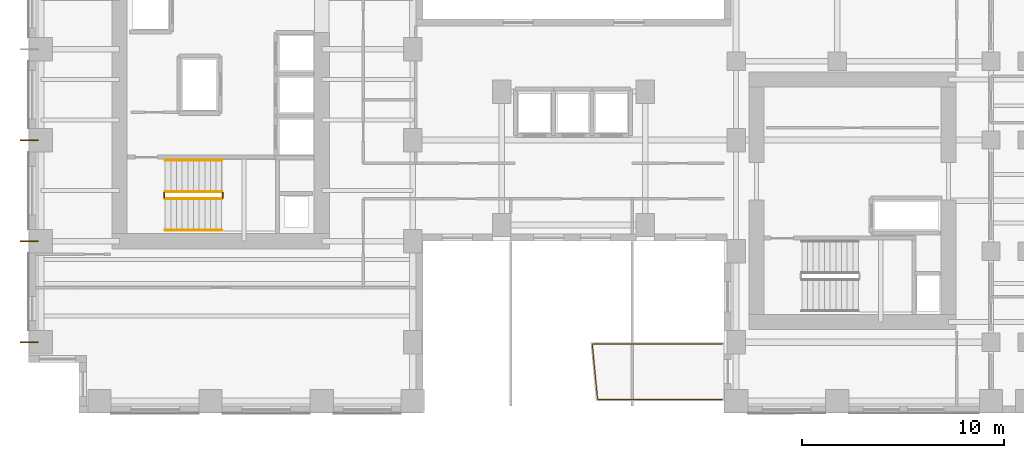
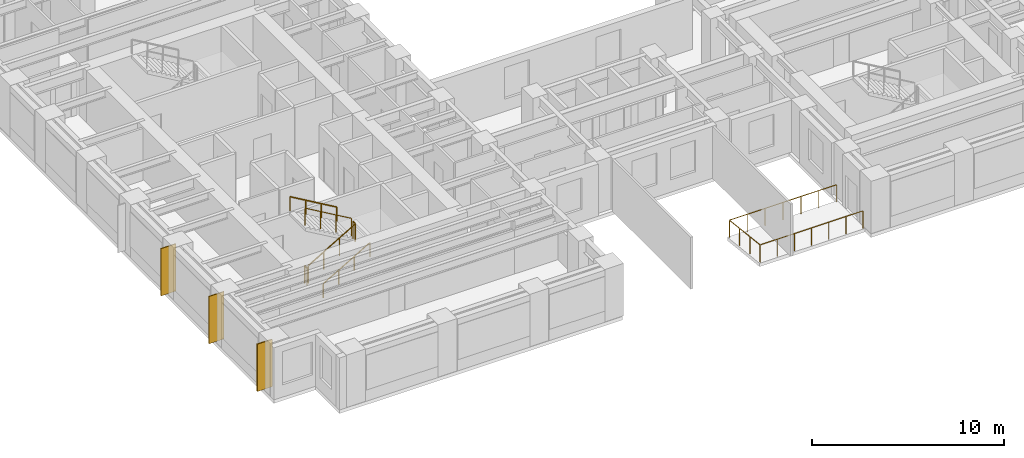
# One storey, part 10 of 12: 7 railings, 3 coverings.
"""IFC4 building model written with IfcOpenShell, lengths in metres."""

from ifc_helpers import new_model, si_unit, direction, frame, origin, origin_2d, place, context, subcontext, project, spatial, rectangle, circle, extrude, source, transform, mapped, material, layer, layer_set, type_object, element, save


model = new_model("IFC4")

# Units and contexts
model_context = context("Model", 3, precision=1e-05, world=origin(), true_north=direction((0.0, 1.0)))
body_context = subcontext(model_context, "Body", "Model", "MODEL_VIEW")
ifc_project = project(units=[si_unit("LENGTHUNIT", "METRE"), si_unit("AREAUNIT", "SQUARE_METRE"), si_unit("VOLUMEUNIT", "CUBIC_METRE"), si_unit("PLANEANGLEUNIT", "RADIAN"), si_unit("MASSUNIT", "GRAM", prefix="KILO")], contexts=[model_context])

# Site, building, storey
site_placement = place(None, origin())
site = spatial("IfcSite", under=ifc_project, at=site_placement, CompositionType="ELEMENT")
building_placement = place(site_placement, origin())
building = spatial("IfcBuilding", under=site, at=building_placement, Name="Kharzan Plaza Tower", CompositionType="ELEMENT")
storey_placement = place(building_placement, frame((0.0, 0.0, 135.0)))
storey = spatial("IfcBuildingStorey", under=building, at=storey_placement, Name="L36", CompositionType="ELEMENT", Elevation=135.0)

# Railings
ifc_material_1 = material(Name="Painted Galvanized Architectural Steel", Category="steel")
ifc_layer_1 = layer(ifc_material_1, 0.074951171875)
ifc_layer_set_1 = layer_set([ifc_layer_1], Name="Painted Galvanized Architectural Steel")
railing_type_1 = type_object("IfcRailingType", Name="RL-GUARD-1120", PredefinedType="BALUSTRADE", material=ifc_layer_set_1)
shared_shape_1 = source(origin(), body_context, "Body", "SweptSolid", [
    extrude(circle(Radius=0.02392578125, at=origin_2d()), frame((0.0, 0.0263671875, 1.09619140625), z_axis=(0.0, 1.0, 0.0), x_axis=(-1.0, 0.0, 0.0)), (0.0, 0.0, 1.0), 0.197021484375),
    extrude(circle(Radius=0.02099609375, at=origin_2d()), origin(), (0.0, 0.0, 1.0), 1.072021484375),
    extrude(circle(Radius=0.02099609375, at=origin_2d()), frame((0.0, 0.25, 0.0)), (0.0, 0.0, 1.0), 1.072021484375),
])
for number, where, name in (
    (1, (9.60009765625, 10.64990234375, 1.800048828125), "L36 ST-1 stair guard 2"),
    (2, (6.699951171875, 10.64990234375, 0.0), "L36 ST-1 stair guard 4"),
):
    element("IfcRailing", number, at=place(storey_placement, frame(where)), inside=storey, type_object=railing_type_1, Name=name, PredefinedType="BALUSTRADE", context=body_context, shape_type="MappedRepresentation", body=[
        mapped(shared_shape_1, transform((0.0, 0.0, 0.0), x_axis=(1.0, 0.0, 0.0), y_axis=(0.0, 1.0, 0.0), z_axis=(0.0, 0.0, 1.0))),
    ])

# Coverings
ifc_material_2 = material(Name="Honed Riyadh Limestone", Category="masonry")
ifc_layer_2 = layer(ifc_material_2, 0.06005859375)
ifc_layer_set_2 = layer_set([ifc_layer_2], Name="Honed Riyadh Limestone")
covering_type = type_object("IfcCoveringType", Name="COV-CLAD-STONE", PredefinedType="CLADDING", material=ifc_layer_set_2)
shared_shape_2 = source(origin(), body_context, "Body", "SweptSolid", [
    extrude(rectangle(XDim=0.06005859375, YDim=0.89990234375, at=origin_2d()), origin(), (0.0, 0.0, 1.0), 3.0),
])
for number, where, z_axis, x_axis, name in (
    (3, (0.02001953125, 13.5, 0.10009765625), (0.0, 0.0, 1.0), (0.0, 1.0, 0.0), "L36 Limestone Pier Rainscreen Cladding TCW-135"),
    (4, (0.02001953125, 3.5, 0.10009765625), (0.0, 0.0, 1.0), (0.0, 1.0, 0.0), "L36 Limestone Pier Rainscreen Cladding TCW-35"),
    (5, (0.02001953125, 8.5, 0.10009765625), (0.0, 0.0, 1.0), (0.0, 1.0, 0.0), "L36 Limestone Pier Rainscreen Cladding TCW-85"),
):
    element("IfcCovering", number, at=place(storey_placement, frame(where, z_axis=z_axis, x_axis=x_axis)), inside=storey, type_object=covering_type, Name=name, PredefinedType="CLADDING", context=body_context, shape_type="MappedRepresentation", body=[
        mapped(shared_shape_2, transform((0.0, 0.0, 0.0), x_axis=(1.0, 0.0, 0.0), y_axis=(0.0, 1.0, 0.0), z_axis=(0.0, 0.0, 1.0))),
    ])

# Railings
shared_shape_3 = source(origin(), body_context, "Body", "SweptSolid", [
    extrude(circle(Radius=0.02392578125, at=origin_2d()), frame((0.02294921875, 0.0, 1.109375), z_axis=(0.863360870873, 0.0, 0.504586966384), x_axis=(0.0, 1.0, 0.0)), (0.0, 0.0, 1.0), 3.190185546875),
    extrude(circle(Radius=0.02099609375, at=origin_2d()), origin(), (0.0, 0.0, 1.0), 1.072021484375),
    extrude(circle(Radius=0.02099609375, at=origin_2d()), frame((0.933349609375, 0.0, 0.54541015625)), (0.0, 0.0, 1.0), 1.072021484375),
    extrude(circle(Radius=0.02099609375, at=origin_2d()), frame((1.86669921875, 0.0, 1.091064453125)), (0.0, 0.0, 1.0), 1.072021484375),
    extrude(circle(Radius=0.02099609375, at=origin_2d()), frame((2.800048828125, 0.0, 1.636474609375)), (0.0, 0.0, 1.0), 1.072021484375),
])
railing_1_placement = place(storey_placement, frame((6.75, 10.60009765625, 0.16357421875)))
element("IfcRailing", 6, at=railing_1_placement, inside=storey, type_object=railing_type_1, Name="L36 ST-1 stair guard 1", PredefinedType="BALUSTRADE", context=body_context, shape_type="MappedRepresentation", body=[
    mapped(shared_shape_3, transform((0.0, 0.0, 0.0), x_axis=(1.0, 0.0, 0.0), y_axis=(0.0, 1.0, 0.0), z_axis=(0.0, 0.0, 1.0))),
])
shared_shape_4 = source(origin(), body_context, "Body", "SweptSolid", [
    extrude(circle(Radius=0.02392578125, at=origin_2d()), frame((-0.02294921875, 0.0, 1.109375), z_axis=(-0.863360870873, 0.0, 0.504586966384), x_axis=(0.0, -1.0, 0.0)), (0.0, 0.0, 1.0), 3.190185546875),
    extrude(circle(Radius=0.02099609375, at=origin_2d()), origin(), (0.0, 0.0, 1.0), 1.072021484375),
    extrude(circle(Radius=0.02099609375, at=origin_2d()), frame((-0.933349609375, 0.0, 0.54541015625)), (0.0, 0.0, 1.0), 1.072021484375),
    extrude(circle(Radius=0.02099609375, at=origin_2d()), frame((-1.86669921875, 0.0, 1.091064453125)), (0.0, 0.0, 1.0), 1.072021484375),
    extrude(circle(Radius=0.02099609375, at=origin_2d()), frame((-2.800048828125, 0.0, 1.636474609375)), (0.0, 0.0, 1.0), 1.072021484375),
])
railing_2_placement = place(storey_placement, frame((9.550048828125, 10.949951171875, 1.963623046875)))
element("IfcRailing", 7, at=railing_2_placement, inside=storey, type_object=railing_type_1, Name="L36 ST-1 stair guard 3", PredefinedType="BALUSTRADE", context=body_context, shape_type="MappedRepresentation", body=[
    mapped(shared_shape_4, transform((0.0, 0.0, 0.0), x_axis=(1.0, 0.0, 0.0), y_axis=(0.0, 1.0, 0.0), z_axis=(0.0, 0.0, 1.0))),
])
ifc_material_3 = material(Name="Brushed Stainless Steel", Category="steel")
ifc_layer_3 = layer(ifc_material_3, 0.050048828125)
ifc_layer_set_3 = layer_set([ifc_layer_3], Name="Brushed Stainless Steel")
railing_type_2 = type_object("IfcRailingType", Name="RL-STAIR-HR920", PredefinedType="HANDRAIL", material=ifc_layer_set_3)
shared_shape_5 = source(origin(), body_context, "Body", "SweptSolid", [
    extrude(circle(Radius=0.02392578125, at=origin_2d()), frame((0.02294921875, 0.0, 0.88916015625), z_axis=(0.863360870873, 0.0, 0.504586966384), x_axis=(0.0, 1.0, 0.0)), (0.0, 0.0, 1.0), 3.190185546875),
    extrude(circle(Radius=0.02099609375, at=origin_2d()), origin(), (0.0, 0.0, 1.0), 0.851806640625),
    extrude(circle(Radius=0.02099609375, at=origin_2d()), frame((0.933349609375, 0.0, 0.54541015625)), (0.0, 0.0, 1.0), 0.851806640625),
    extrude(circle(Radius=0.02099609375, at=origin_2d()), frame((1.86669921875, 0.0, 1.091064453125)), (0.0, 0.0, 1.0), 0.851806640625),
    extrude(circle(Radius=0.02099609375, at=origin_2d()), frame((2.800048828125, 0.0, 1.636474609375)), (0.0, 0.0, 1.0), 0.851806640625),
])
railing_3_placement = place(storey_placement, frame((6.75, 9.050048828125, 0.16357421875)))
element("IfcRailing", 8, at=railing_3_placement, inside=storey, type_object=railing_type_2, Name="L36 ST-1 stair handrail 1", PredefinedType="HANDRAIL", context=body_context, shape_type="MappedRepresentation", body=[
    mapped(shared_shape_5, transform((0.0, 0.0, 0.0), x_axis=(1.0, 0.0, 0.0), y_axis=(0.0, 1.0, 0.0), z_axis=(0.0, 0.0, 1.0))),
])
shared_shape_6 = source(origin(), body_context, "Body", "SweptSolid", [
    extrude(circle(Radius=0.02392578125, at=origin_2d()), frame((-0.02294921875, 0.0, 0.88916015625), z_axis=(-0.863360870873, 0.0, 0.504586966384), x_axis=(0.0, -1.0, 0.0)), (0.0, 0.0, 1.0), 3.190185546875),
    extrude(circle(Radius=0.02099609375, at=origin_2d()), origin(), (0.0, 0.0, 1.0), 0.851806640625),
    extrude(circle(Radius=0.02099609375, at=origin_2d()), frame((-0.933349609375, 0.0, 0.54541015625)), (0.0, 0.0, 1.0), 0.851806640625),
    extrude(circle(Radius=0.02099609375, at=origin_2d()), frame((-1.86669921875, 0.0, 1.091064453125)), (0.0, 0.0, 1.0), 0.851806640625),
    extrude(circle(Radius=0.02099609375, at=origin_2d()), frame((-2.800048828125, 0.0, 1.636474609375)), (0.0, 0.0, 1.0), 0.851806640625),
])
railing_4_placement = place(storey_placement, frame((9.550048828125, 12.5, 1.963623046875)))
element("IfcRailing", 9, at=railing_4_placement, inside=storey, type_object=railing_type_2, Name="L36 ST-1 stair handrail 2", PredefinedType="HANDRAIL", context=body_context, shape_type="MappedRepresentation", body=[
    mapped(shared_shape_6, transform((0.0, 0.0, 0.0), x_axis=(1.0, 0.0, 0.0), y_axis=(0.0, 1.0, 0.0), z_axis=(0.0, 0.0, 1.0))),
])
shared_shape_7 = source(origin(), body_context, "Body", "SweptSolid", [
    extrude(circle(Radius=0.02392578125, at=origin_2d()), frame((-0.0263671875, 0.0, 1.09619140625), z_axis=(-1.0, 0.0, 0.0), x_axis=(0.0, -1.0, 0.0)), (0.0, 0.0, 1.0), 6.123046875),
    extrude(circle(Radius=0.02392578125, at=origin_2d()), frame((-6.178466796875, 0.0263671875, 1.09619140625), z_axis=(-0.095964210763, 0.995384785022, 0.0), x_axis=(-0.995384785022, -0.095964210763, 0.0)), (0.0, 0.0, 1.0), 2.69970703125),
    extrude(circle(Radius=0.02392578125, at=origin_2d()), frame((-6.413818359375, 2.739990234375, 1.09619140625), z_axis=(1.0, 0.0, 0.0), x_axis=(0.0, 1.0, 0.0)), (0.0, 0.0, 1.0), 6.38720703125),
    extrude(circle(Radius=0.02099609375, at=origin_2d()), origin(), (0.0, 0.0, 1.0), 1.072021484375),
    extrude(circle(Radius=0.02099609375, at=origin_2d()), frame((-1.029296875, 0.0, 0.0)), (0.0, 0.0, 1.0), 1.072021484375),
    extrude(circle(Radius=0.02099609375, at=origin_2d()), frame((-2.05859375, 0.0, 0.0)), (0.0, 0.0, 1.0), 1.072021484375),
    extrude(circle(Radius=0.02099609375, at=origin_2d()), frame((-3.087890625, 0.0, 0.0)), (0.0, 0.0, 1.0), 1.072021484375),
    extrude(circle(Radius=0.02099609375, at=origin_2d()), frame((-4.117431640625, 0.0, 0.0)), (0.0, 0.0, 1.0), 1.072021484375),
    extrude(circle(Radius=0.02099609375, at=origin_2d()), frame((-5.146728515625, 0.0, 0.0)), (0.0, 0.0, 1.0), 1.072021484375),
    extrude(circle(Radius=0.02099609375, at=origin_2d()), frame((-6.176025390625, 0.0, 0.0)), (0.0, 0.0, 1.0), 1.072021484375),
    extrude(circle(Radius=0.02099609375, at=origin_2d()), frame((-6.26416015625, 0.913330078125, 0.0)), (0.0, 0.0, 1.0), 1.072021484375),
    extrude(circle(Radius=0.02099609375, at=origin_2d()), frame((-6.35205078125, 1.82666015625, 0.0)), (0.0, 0.0, 1.0), 1.072021484375),
    extrude(circle(Radius=0.02099609375, at=origin_2d()), frame((-6.440185546875, 2.739990234375, 0.0)), (0.0, 0.0, 1.0), 1.072021484375),
    extrude(circle(Radius=0.02099609375, at=origin_2d()), frame((-5.36669921875, 2.739990234375, 0.0)), (0.0, 0.0, 1.0), 1.072021484375),
    extrude(circle(Radius=0.02099609375, at=origin_2d()), frame((-4.29345703125, 2.739990234375, 0.0)), (0.0, 0.0, 1.0), 1.072021484375),
    extrude(circle(Radius=0.02099609375, at=origin_2d()), frame((-3.22021484375, 2.739990234375, 0.0)), (0.0, 0.0, 1.0), 1.072021484375),
    extrude(circle(Radius=0.02099609375, at=origin_2d()), frame((-2.146728515625, 2.739990234375, 0.0)), (0.0, 0.0, 1.0), 1.072021484375),
    extrude(circle(Radius=0.02099609375, at=origin_2d()), frame((-1.0732421875, 2.739990234375, 0.0)), (0.0, 0.0, 1.0), 1.072021484375),
    extrude(circle(Radius=0.02099609375, at=origin_2d()), frame((0.0, 2.739990234375, 0.0)), (0.0, 0.0, 1.0), 1.072021484375),
])
railing_5_placement = place(storey_placement, frame((34.320068359375, 0.679931640625, 0.0)))
element("IfcRailing", 10, at=railing_5_placement, inside=storey, type_object=railing_type_1, Name="L36 Cantilevered Sky-Terrace Tray Balustrade", PredefinedType="BALUSTRADE", context=body_context, shape_type="MappedRepresentation", body=[
    mapped(shared_shape_7, transform((0.0, 0.0, 0.0), x_axis=(1.0, 0.0, 0.0), y_axis=(0.0, 1.0, 0.0), z_axis=(0.0, 0.0, 1.0))),
])

save(model, "model.ifc")
